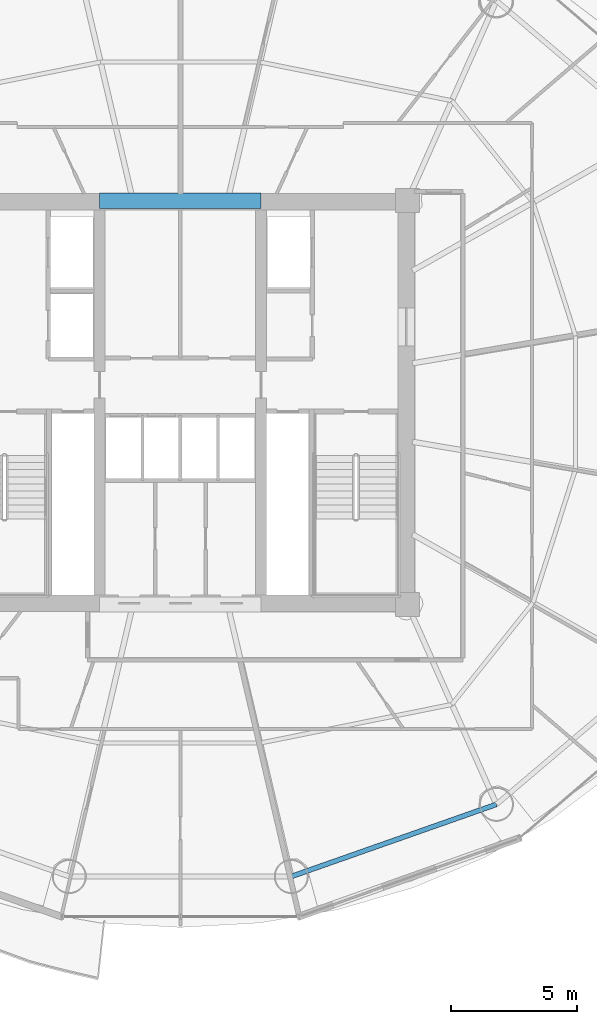
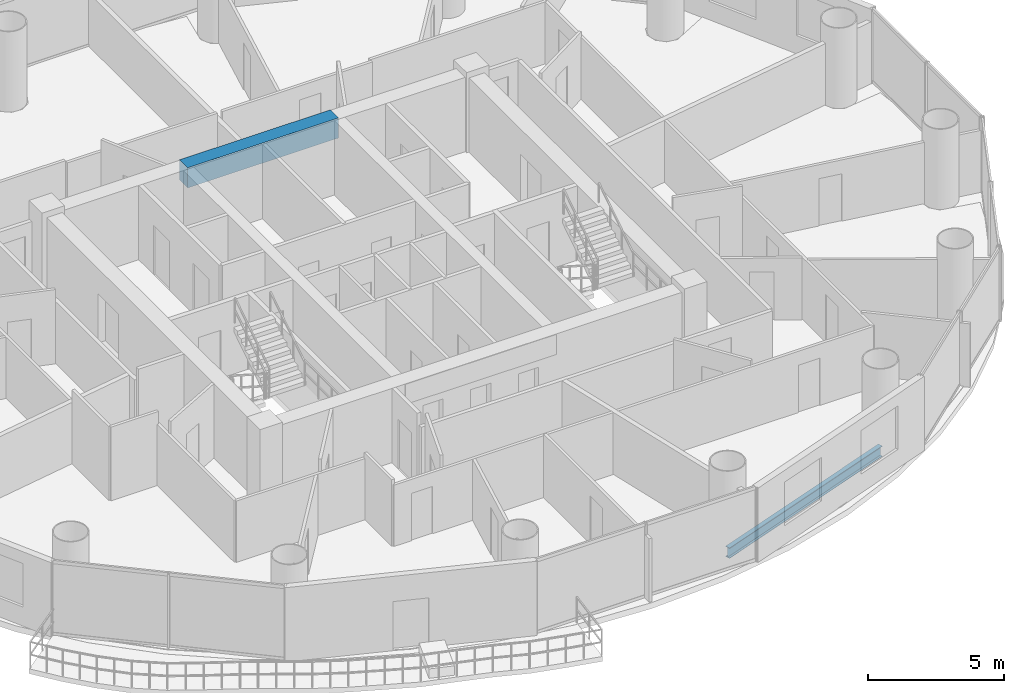
# One storey, part 9 of 26: 2 beams.
"""IFC4 building model written with IfcOpenShell, lengths in metres."""

from ifc_helpers import new_model, si_unit, direction, frame, origin, origin_2d, place, context, subcontext, project, spatial, rectangle, i_section, extrude, material, material_profile, profile_set, type_object, element, save


model = new_model("IFC4")

# Units and contexts
model_context = context("Model", 3, precision=1e-05, world=origin(), true_north=direction((-0.2419218956, 0.970295726276)))
body_context = subcontext(model_context, "Body", "Model", "MODEL_VIEW")
ifc_project = project(units=[si_unit("LENGTHUNIT", "METRE"), si_unit("AREAUNIT", "SQUARE_METRE"), si_unit("VOLUMEUNIT", "CUBIC_METRE"), si_unit("PLANEANGLEUNIT", "RADIAN"), si_unit("MASSUNIT", "GRAM", prefix="KILO")], contexts=[model_context])

# Site, building, storey
site_placement = place(None, origin())
site = spatial("IfcSite", under=ifc_project, at=site_placement, CompositionType="ELEMENT")
building_placement = place(site_placement, origin())
building = spatial("IfcBuilding", under=site, at=building_placement, Name="Cobrevalo Terracotta Tower", CompositionType="ELEMENT")
storey_placement = place(building_placement, frame((0.0, 0.0, 139.0)))
storey = spatial("IfcBuildingStorey", under=building, at=storey_placement, Name="L36", CompositionType="ELEMENT", Elevation=139.0)

# Beams
ifc_material_1 = material(Name="Concrete C60", Category="concrete")
ifc_material_profile_1 = material_profile(ifc_material_1, rectangle(XDim=0.60009765625, YDim=0.89990234375, at=origin_2d()), Name="RC CB 600x900")
ifc_profile_set_1 = profile_set([ifc_material_profile_1], Name="Concrete C60")
beam_type_1 = type_object("IfcBeamType", Name="Structural Beam RC CB 600x900 (Concrete C60)", PredefinedType="BEAM", material=ifc_profile_set_1)
beam_1_placement = place(storey_placement, frame((34.800048828125, 34.800048828125, 2.8798828125), z_axis=(1.0, 0.0, 0.0), x_axis=(0.0, 1.0, 0.0)))
element("IfcBeam", 1, at=beam_1_placement, inside=storey, type_object=beam_type_1, Name="L36 core coupling beam 2", PredefinedType="BEAM", context=body_context, shape_type="SweptSolid", body=[
    extrude(rectangle(XDim=0.60009765625, YDim=0.89990234375, at=origin_2d()), origin(), (0.0, 0.0, 1.0), 6.39990234375),
])
ifc_material_2 = material(Name="Steel S355", Category="steel")
ifc_material_profile_2 = material_profile(ifc_material_2, i_section(OverallWidth=0.194091796875, OverallDepth=0.468994140625, WebThickness=0.011474609375, FlangeThickness=0.0205078125, at=origin_2d()), Name="W 460x106")
ifc_profile_set_2 = profile_set([ifc_material_profile_2], Name="Steel S355")
beam_type_2 = type_object("IfcBeamType", Name="Structural Spandrel W 460x106 (Steel S355)", PredefinedType="SPANDREL", material=ifc_profile_set_2)
beam_2_placement = place(storey_placement, frame((42.399169921875, 8.01806640625, -0.50439453125), z_axis=(0.943341298492, 0.331824041565, 0.0), x_axis=(-0.331824041565, 0.943341298492, 0.0)))
element("IfcBeam", 2, at=beam_2_placement, inside=storey, type_object=beam_type_2, Name="L36 perimeter ring spandrel 13", PredefinedType="SPANDREL", context=body_context, shape_type="SweptSolid", body=[
    extrude(i_section(OverallWidth=0.194091796875, OverallDepth=0.468994140625, WebThickness=0.011474609375, FlangeThickness=0.0205078125, at=origin_2d()), origin(), (0.0, 0.0, 1.0), 8.6171875),
])

save(model, "model.ifc")
